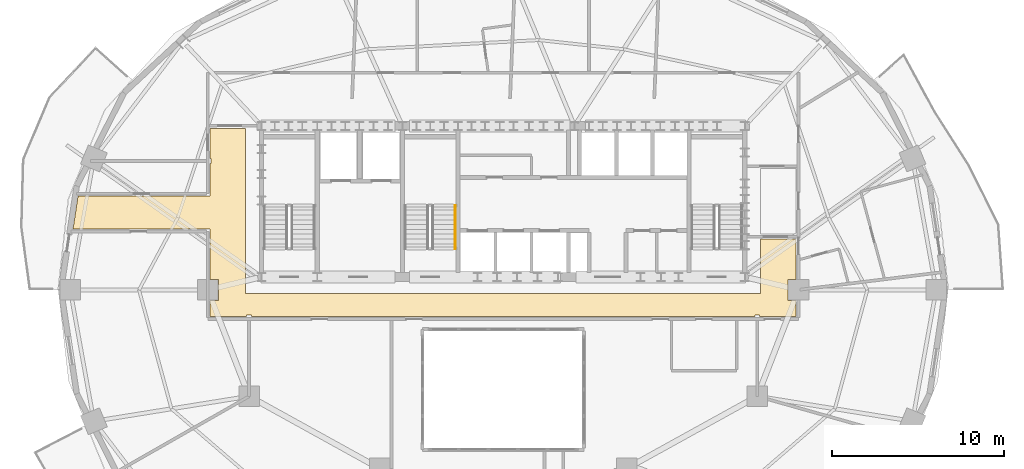
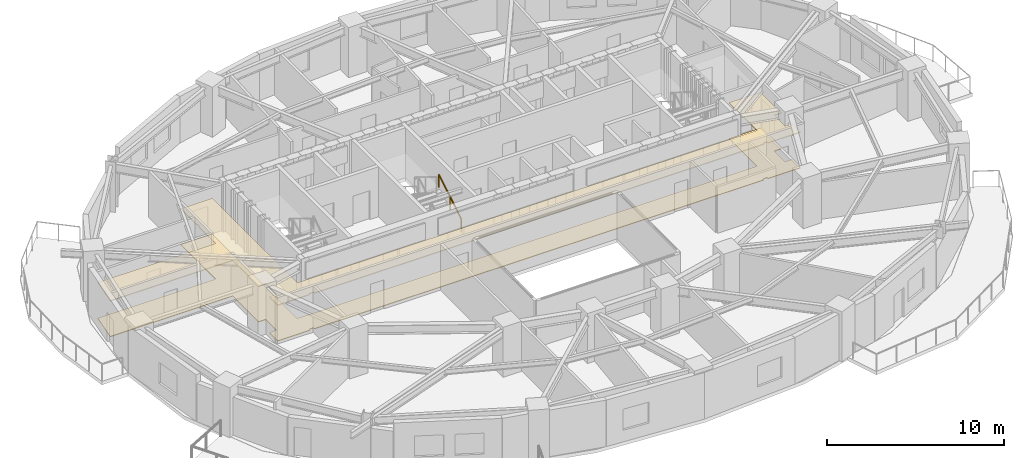
# One storey, part 11 of 13: 2 coverings, 1 railing.
"""IFC4 building model written with IfcOpenShell, lengths in metres."""

from ifc_helpers import new_model, si_unit, direction, frame, origin, origin_2d, place, context, subcontext, project, spatial, polyline, rectangle, outline, extrude, material, layer, layer_set, type_object, element, save


model = new_model("IFC4")

# Units and contexts
model_context = context("Model", 3, precision=1e-05, world=origin(), true_north=direction((0.0, 1.0)))
body_context = subcontext(model_context, "Body", "Model", "MODEL_VIEW")
ifc_project = project(units=[si_unit("LENGTHUNIT", "METRE"), si_unit("AREAUNIT", "SQUARE_METRE"), si_unit("VOLUMEUNIT", "CUBIC_METRE"), si_unit("PLANEANGLEUNIT", "RADIAN"), si_unit("MASSUNIT", "GRAM", prefix="KILO")], contexts=[model_context])

# Site, building, storey
site_placement = place(None, origin())
site = spatial("IfcSite", under=ifc_project, at=site_placement, CompositionType="ELEMENT")
building_placement = place(site_placement, origin())
building = spatial("IfcBuilding", under=site, at=building_placement, Name="Haldorwick Loom Tower", CompositionType="ELEMENT")
storey_placement = place(building_placement, frame((0.0, 0.0, 135.64990234375)))
storey = spatial("IfcBuildingStorey", under=building, at=storey_placement, Name="L36", CompositionType="ELEMENT", Elevation=135.64990234375)

# Coverings
ifc_material_1 = material(Name="Mineral Fibre Acoustic Ceiling Tile")
ifc_layer_1 = layer(ifc_material_1, 0.054931640625, Name="Mineral Fibre Acoustic Ceiling Tile")
ifc_layer_set_1 = layer_set([ifc_layer_1], Name="Mineral Fibre Acoustic Ceiling Tile")
covering_type_1 = type_object("IfcCoveringType", Name="ARC-COV-CEIL2", PredefinedType="CEILING", material=ifc_layer_set_1)
covering_1_placement = place(storey_placement, frame((0.0, 0.0, 2.4580078125)))
element("IfcCovering", 1, at=covering_1_placement, inside=storey, type_object=covering_type_1, Name="L36 Acoustic Suspended Ceiling 1", PredefinedType="CEILING", context=body_context, shape_type="SweptSolid", body=[
    extrude(outline(polyline([(10.948974609375, 29.5400390625), (18.919921875, 29.5400390625), (18.922119140625, 29.539794921875), (18.923828125, 29.53955078125), (18.92578125, 29.5390625), (18.927734375, 29.53857421875), (18.929443359375, 29.53759765625), (18.93115234375, 29.53662109375), (18.9326171875, 29.535400390625), (18.93408203125, 29.5341796875), (18.935546875, 29.53271484375), (18.9365234375, 29.531005859375), (18.9375, 29.529296875), (18.9384765625, 29.527587890625), (18.939208984375, 29.52587890625), (18.939697265625, 29.52392578125), (18.93994140625, 29.52197265625), (18.93994140625, 29.52001953125), (18.93994140625, 26.60791015625), (19.407958984375, 26.60791015625), (19.407958984375, 25.39208984375), (18.93994140625, 25.39208984375), (18.93994140625, 24.43994140625), (21.06005859375, 24.43994140625), (21.06005859375, 24.52001953125), (21.06005859375, 24.52197265625), (21.060302734375, 24.52392578125), (21.060791015625, 24.52587890625), (21.0615234375, 24.527587890625), (21.0625, 24.529296875), (21.0634765625, 24.531005859375), (21.064453125, 24.53271484375), (21.06591796875, 24.5341796875), (21.0673828125, 24.535400390625), (21.06884765625, 24.53662109375), (21.070556640625, 24.53759765625), (21.072265625, 24.53857421875), (21.07421875, 24.5390625), (21.076171875, 24.53955078125), (21.077880859375, 24.539794921875), (21.080078125, 24.5400390625), (21.320068359375, 24.5400390625), (21.322021484375, 24.539794921875), (21.323974609375, 24.53955078125), (21.32568359375, 24.5390625), (21.32763671875, 24.53857421875), (21.329345703125, 24.53759765625), (21.3310546875, 24.53662109375), (21.332763671875, 24.535400390625), (21.333984375, 24.5341796875), (21.33544921875, 24.53271484375), (21.336669921875, 24.531005859375), (21.337646484375, 24.529296875), (21.33837890625, 24.527587890625), (21.339111328125, 24.52587890625), (21.339599609375, 24.52392578125), (21.33984375, 24.52197265625), (21.340087890625, 24.52001953125), (21.340087890625, 24.43994140625), (50.659912109375, 24.43994140625), (50.659912109375, 24.52001953125), (50.66015625, 24.52197265625), (50.660400390625, 24.52392578125), (50.660888671875, 24.52587890625), (50.66162109375, 24.527587890625), (50.662353515625, 24.529296875), (50.663330078125, 24.531005859375), (50.66455078125, 24.53271484375), (50.666015625, 24.5341796875), (50.667236328125, 24.535400390625), (50.6689453125, 24.53662109375), (50.670654296875, 24.53759765625), (50.67236328125, 24.53857421875), (50.67431640625, 24.5390625), (50.676025390625, 24.53955078125), (50.677978515625, 24.539794921875), (50.679931640625, 24.5400390625), (50.919921875, 24.5400390625), (50.922119140625, 24.539794921875), (50.923828125, 24.53955078125), (50.92578125, 24.5390625), (50.927734375, 24.53857421875), (50.929443359375, 24.53759765625), (50.93115234375, 24.53662109375), (50.9326171875, 24.535400390625), (50.93408203125, 24.5341796875), (50.935546875, 24.53271484375), (50.9365234375, 24.531005859375), (50.9375, 24.529296875), (50.9384765625, 24.527587890625), (50.939208984375, 24.52587890625), (50.939697265625, 24.52392578125), (50.93994140625, 24.52197265625), (50.93994140625, 24.52001953125), (50.93994140625, 24.43994140625), (53.06005859375, 24.43994140625), (53.06005859375, 25.39208984375), (52.592041015625, 25.39208984375), (52.592041015625, 26.60791015625), (53.06005859375, 26.60791015625), (53.06005859375, 28.9599609375), (51.0, 28.9599609375), (51.0, 25.800048828125), (21.0, 25.800048828125), (21.0, 35.409912109375), (18.93994140625, 35.409912109375), (18.93994140625, 33.639892578125), (18.969970703125, 33.639892578125), (18.971923828125, 33.639892578125), (18.973876953125, 33.6396484375), (18.975830078125, 33.63916015625), (18.977783203125, 33.638427734375), (18.9794921875, 33.6376953125), (18.981201171875, 33.63671875), (18.982666015625, 33.635498046875), (18.984130859375, 33.634033203125), (18.985595703125, 33.6328125), (18.986572265625, 33.631103515625), (18.987548828125, 33.62939453125), (18.988525390625, 33.627685546875), (18.989013671875, 33.625732421875), (18.989501953125, 33.623779296875), (18.989990234375, 33.6220703125), (18.989990234375, 33.6201171875), (18.989990234375, 33.3798828125), (18.989990234375, 33.3779296875), (18.989501953125, 33.376220703125), (18.989013671875, 33.374267578125), (18.988525390625, 33.372314453125), (18.987548828125, 33.37060546875), (18.986572265625, 33.368896484375), (18.985595703125, 33.3671875), (18.984130859375, 33.365966796875), (18.982666015625, 33.364501953125), (18.981201171875, 33.36328125), (18.9794921875, 33.3623046875), (18.977783203125, 33.361572265625), (18.975830078125, 33.36083984375), (18.973876953125, 33.3603515625), (18.971923828125, 33.360107421875), (18.969970703125, 33.360107421875), (18.93994140625, 33.360107421875), (18.93994140625, 31.47998046875), (18.93994140625, 31.47802734375), (18.939697265625, 31.47607421875), (18.939208984375, 31.47412109375), (18.9384765625, 31.472412109375), (18.9375, 31.470703125), (18.9365234375, 31.468994140625), (18.935546875, 31.46728515625), (18.93408203125, 31.4658203125), (18.9326171875, 31.464599609375), (18.93115234375, 31.46337890625), (18.929443359375, 31.46240234375), (18.927734375, 31.46142578125), (18.92578125, 31.4609375), (18.923828125, 31.46044921875), (18.922119140625, 31.460205078125), (18.919921875, 31.4599609375), (11.241455078125, 31.4599609375), (10.948974609375, 29.5400390625)])), origin(), (0.0, 0.0, 1.0), 0.05517578125),
])
ifc_material_2 = material(Name="Polished Aggregate Terrazzo Finish")
ifc_layer_2 = layer(ifc_material_2, 0.044921875, Name="Polished Aggregate Terrazzo Finish")
ifc_layer_set_2 = layer_set([ifc_layer_2], Name="Polished Aggregate Terrazzo Finish")
covering_type_2 = type_object("IfcCoveringType", Name="ARC-COV-FLOOR2", PredefinedType="FLOORING", material=ifc_layer_set_2)
covering_2_placement = place(storey_placement, origin())
element("IfcCovering", 2, at=covering_2_placement, inside=storey, type_object=covering_type_2, Name="L36 Floor Finish 1", PredefinedType="FLOORING", context=body_context, shape_type="SweptSolid", body=[
    extrude(outline(polyline([(10.948974609375, 29.5400390625), (18.919921875, 29.5400390625), (18.922119140625, 29.539794921875), (18.923828125, 29.53955078125), (18.92578125, 29.5390625), (18.927734375, 29.53857421875), (18.929443359375, 29.53759765625), (18.93115234375, 29.53662109375), (18.9326171875, 29.535400390625), (18.93408203125, 29.5341796875), (18.935546875, 29.53271484375), (18.9365234375, 29.531005859375), (18.9375, 29.529296875), (18.9384765625, 29.527587890625), (18.939208984375, 29.52587890625), (18.939697265625, 29.52392578125), (18.93994140625, 29.52197265625), (18.93994140625, 29.52001953125), (18.93994140625, 26.60791015625), (19.407958984375, 26.60791015625), (19.407958984375, 25.39208984375), (18.93994140625, 25.39208984375), (18.93994140625, 24.43994140625), (21.06005859375, 24.43994140625), (21.06005859375, 24.52001953125), (21.06005859375, 24.52197265625), (21.060302734375, 24.52392578125), (21.060791015625, 24.52587890625), (21.0615234375, 24.527587890625), (21.0625, 24.529296875), (21.0634765625, 24.531005859375), (21.064453125, 24.53271484375), (21.06591796875, 24.5341796875), (21.0673828125, 24.535400390625), (21.06884765625, 24.53662109375), (21.070556640625, 24.53759765625), (21.072265625, 24.53857421875), (21.07421875, 24.5390625), (21.076171875, 24.53955078125), (21.077880859375, 24.539794921875), (21.080078125, 24.5400390625), (21.320068359375, 24.5400390625), (21.322021484375, 24.539794921875), (21.323974609375, 24.53955078125), (21.32568359375, 24.5390625), (21.32763671875, 24.53857421875), (21.329345703125, 24.53759765625), (21.3310546875, 24.53662109375), (21.332763671875, 24.535400390625), (21.333984375, 24.5341796875), (21.33544921875, 24.53271484375), (21.336669921875, 24.531005859375), (21.337646484375, 24.529296875), (21.33837890625, 24.527587890625), (21.339111328125, 24.52587890625), (21.339599609375, 24.52392578125), (21.33984375, 24.52197265625), (21.340087890625, 24.52001953125), (21.340087890625, 24.43994140625), (50.659912109375, 24.43994140625), (50.659912109375, 24.52001953125), (50.66015625, 24.52197265625), (50.660400390625, 24.52392578125), (50.660888671875, 24.52587890625), (50.66162109375, 24.527587890625), (50.662353515625, 24.529296875), (50.663330078125, 24.531005859375), (50.66455078125, 24.53271484375), (50.666015625, 24.5341796875), (50.667236328125, 24.535400390625), (50.6689453125, 24.53662109375), (50.670654296875, 24.53759765625), (50.67236328125, 24.53857421875), (50.67431640625, 24.5390625), (50.676025390625, 24.53955078125), (50.677978515625, 24.539794921875), (50.679931640625, 24.5400390625), (50.919921875, 24.5400390625), (50.922119140625, 24.539794921875), (50.923828125, 24.53955078125), (50.92578125, 24.5390625), (50.927734375, 24.53857421875), (50.929443359375, 24.53759765625), (50.93115234375, 24.53662109375), (50.9326171875, 24.535400390625), (50.93408203125, 24.5341796875), (50.935546875, 24.53271484375), (50.9365234375, 24.531005859375), (50.9375, 24.529296875), (50.9384765625, 24.527587890625), (50.939208984375, 24.52587890625), (50.939697265625, 24.52392578125), (50.93994140625, 24.52197265625), (50.93994140625, 24.52001953125), (50.93994140625, 24.43994140625), (53.06005859375, 24.43994140625), (53.06005859375, 25.39208984375), (52.592041015625, 25.39208984375), (52.592041015625, 26.60791015625), (53.06005859375, 26.60791015625), (53.06005859375, 28.9599609375), (51.0, 28.9599609375), (51.0, 25.800048828125), (21.0, 25.800048828125), (21.0, 35.409912109375), (18.93994140625, 35.409912109375), (18.93994140625, 33.639892578125), (18.969970703125, 33.639892578125), (18.971923828125, 33.639892578125), (18.973876953125, 33.6396484375), (18.975830078125, 33.63916015625), (18.977783203125, 33.638427734375), (18.9794921875, 33.6376953125), (18.981201171875, 33.63671875), (18.982666015625, 33.635498046875), (18.984130859375, 33.634033203125), (18.985595703125, 33.6328125), (18.986572265625, 33.631103515625), (18.987548828125, 33.62939453125), (18.988525390625, 33.627685546875), (18.989013671875, 33.625732421875), (18.989501953125, 33.623779296875), (18.989990234375, 33.6220703125), (18.989990234375, 33.6201171875), (18.989990234375, 33.3798828125), (18.989990234375, 33.3779296875), (18.989501953125, 33.376220703125), (18.989013671875, 33.374267578125), (18.988525390625, 33.372314453125), (18.987548828125, 33.37060546875), (18.986572265625, 33.368896484375), (18.985595703125, 33.3671875), (18.984130859375, 33.365966796875), (18.982666015625, 33.364501953125), (18.981201171875, 33.36328125), (18.9794921875, 33.3623046875), (18.977783203125, 33.361572265625), (18.975830078125, 33.36083984375), (18.973876953125, 33.3603515625), (18.971923828125, 33.360107421875), (18.969970703125, 33.360107421875), (18.93994140625, 33.360107421875), (18.93994140625, 31.47998046875), (18.93994140625, 31.47802734375), (18.939697265625, 31.47607421875), (18.939208984375, 31.47412109375), (18.9384765625, 31.472412109375), (18.9375, 31.470703125), (18.9365234375, 31.468994140625), (18.935546875, 31.46728515625), (18.93408203125, 31.4658203125), (18.9326171875, 31.464599609375), (18.93115234375, 31.46337890625), (18.929443359375, 31.46240234375), (18.927734375, 31.46142578125), (18.92578125, 31.4609375), (18.923828125, 31.46044921875), (18.922119140625, 31.460205078125), (18.919921875, 31.4599609375), (11.241455078125, 31.4599609375), (10.948974609375, 29.5400390625)])), origin(), (0.0, 0.0, 1.0), 0.045166015625),
])

# Railing
ifc_material_3 = material(Name="Steel CSA G40.21 350W", Category="steel")
railing_type = type_object("IfcRailingType", Name="ARC-RLG-HAND092", PredefinedType="HANDRAIL", material=ifc_material_3)
railing_placement = place(storey_placement, frame((33.199951171875, 28.39990234375, 0.172607421875)))
element("IfcRailing", 3, at=railing_placement, inside=storey, type_object=railing_type, Name="L36 ST-03 stair handrail 1", PredefinedType="HANDRAIL", context=body_context, shape_type="SweptSolid", body=[
    extrude(rectangle(XDim=0.048095703125, YDim=0.048095703125, at=origin_2d()), frame((0.0, 0.0, 0.8759765625), z_axis=(0.0, 0.851400495292, 0.524516154772), x_axis=(-1.0, 0.0, 0.0)), (0.0, 0.0, 1.0), 2.9599609375),
    extrude(rectangle(XDim=0.0419921875, YDim=0.0419921875, at=origin_2d()), origin(), (0.0, 0.0, 1.0), 0.851806640625),
    extrude(rectangle(XDim=0.0419921875, YDim=0.0419921875, at=origin_2d()), frame((0.0, 1.260009765625, 0.7763671875)), (0.0, 0.0, 1.0), 0.851806640625),
    extrude(rectangle(XDim=0.0419921875, YDim=0.0419921875, at=origin_2d()), frame((0.0, 2.52001953125, 1.552490234375)), (0.0, 0.0, 1.0), 0.851806640625),
])

save(model, "model.ifc")
